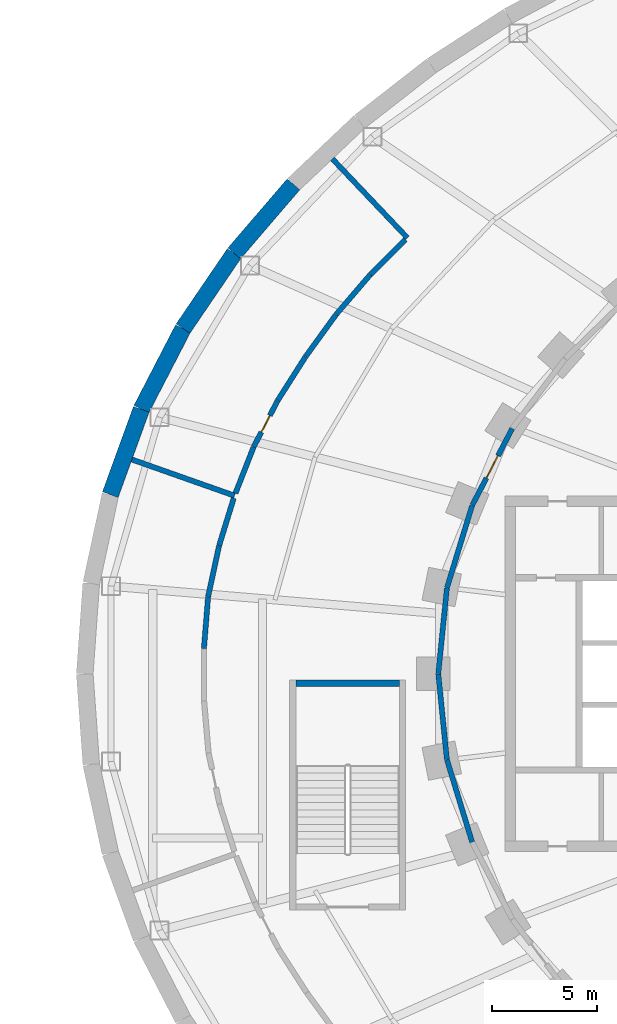
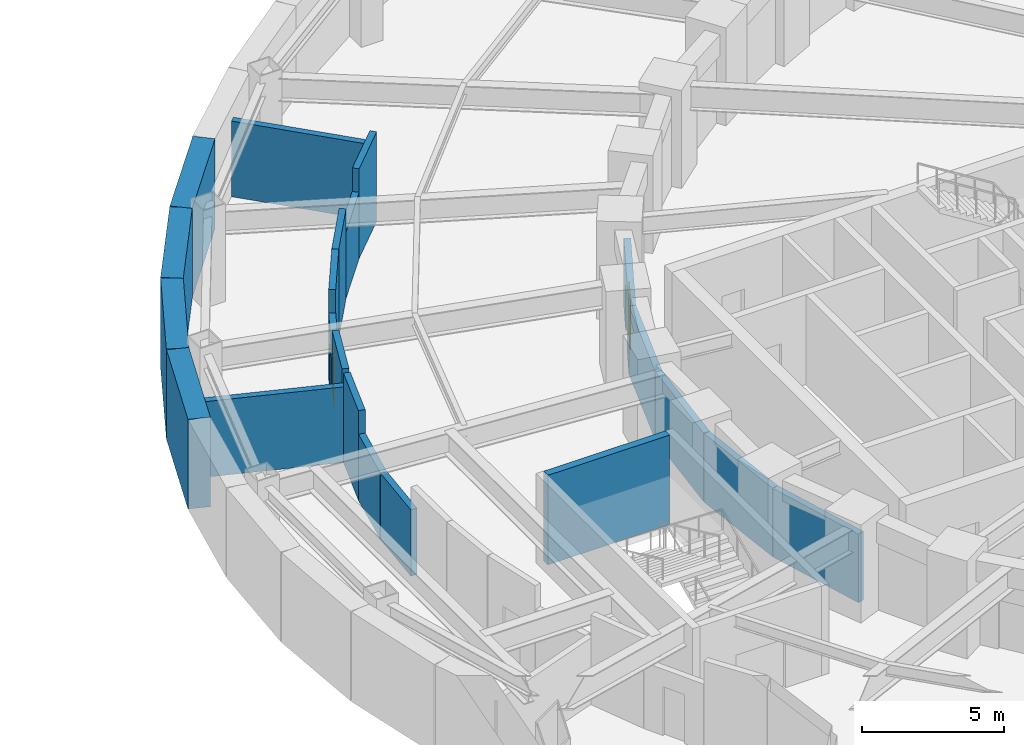
# One storey, part 15 of 32: 21 walls, 2 doors, 2 openings.
"""IFC4 building model written with IfcOpenShell, lengths in metres."""

import ifcopenshell
import ifcopenshell.guid

model = None  # the IFC model being written
_history = None  # IfcOwnerHistory: only IFC2X3 demands one
_inside = {}  # id of a spatial element -> (the spatial element, [elements in it])
_under = {}  # id of a project, library or spatial element -> (it, [spatial elements below it])
_declared = {}  # id of a project -> (the project, [libraries it declares])
_typed = {}  # id of a type object -> (the type object, [elements of that type])
_made_of = {}  # id of a material, layer set ... -> (it, [elements and type objects made of it])


def new_model(schema):
    """Start an empty IFC model of exactly this schema.

    Asked for "IFC4X3", IfcOpenShell would pick the latest addendum, in which some entities
    have other attributes; the version numbers below select the first issue.
    IFC2X3 requires an IfcOwnerHistory on every rooted entity: one is made here for all.
    """
    global model, _history
    if schema == "IFC4X3":
        model = ifcopenshell.file(schema_version=(4, 3, 0, 0))
    else:
        model = ifcopenshell.file(schema=schema)
    _inside.clear()
    _under.clear()
    _declared.clear()
    _typed.clear()
    _made_of.clear()
    _history = None
    if model.schema == "IFC2X3":
        org = make("IfcOrganization", Name="unknown")
        user = make(
            "IfcPersonAndOrganization",
            ThePerson=make("IfcPerson", FamilyName="unknown"),
            TheOrganization=org,
        )
        app = make(
            "IfcApplication",
            ApplicationDeveloper=org,
            Version="unknown",
            ApplicationFullName="unknown",
            ApplicationIdentifier="unknown",
        )
        _history = make(
            "IfcOwnerHistory",
            OwningUser=user,
            OwningApplication=app,
            ChangeAction="ADDED",
            CreationDate=0,
        )
    return model


def make(cls, **values):
    """One entity of the class cls with the attributes given. An attribute that is None is left unset."""
    return model.create_entity(
        cls, **{name: value for name, value in values.items() if value is not None}
    )


def rooted(cls, **values):
    """An entity with a GlobalId (a new one), such as an element, a storey or a relation."""
    return make(cls, GlobalId=ifcopenshell.guid.new(), OwnerHistory=_history, **values)


def si_unit(unit_type, name, prefix=None):
    """IfcSIUnit, for example si_unit("LENGTHUNIT", "METRE", prefix="MILLI")."""
    return make("IfcSIUnit", UnitType=unit_type, Prefix=prefix, Name=name)


def assignment(units):
    """IfcUnitAssignment: the units of a project."""
    return None if units is None else make("IfcUnitAssignment", Units=units)


def point(xyz):
    """IfcCartesianPoint."""
    return None if xyz is None else make("IfcCartesianPoint", Coordinates=xyz)


def direction(xyz):
    """IfcDirection."""
    return None if xyz is None else make("IfcDirection", DirectionRatios=xyz)


def frame(location, z_axis=None, x_axis=None):
    """IfcAxis2Placement3D, a coordinate frame: its origin and axes. An axis left out is left unset."""
    return make(
        "IfcAxis2Placement3D",
        Location=point(location),
        Axis=direction(z_axis),
        RefDirection=direction(x_axis),
    )


def frame_2d(location, x_axis=None):
    """IfcAxis2Placement2D, a coordinate frame in the plane: its origin and x axis."""
    return make(
        "IfcAxis2Placement2D", Location=point(location), RefDirection=direction(x_axis)
    )


def origin():
    """The frame at (0, 0, 0) with its axes left unset."""
    return frame((0.0, 0.0, 0.0))


def place(relative_to, where):
    """IfcLocalPlacement: puts the frame where relative to a parent placement (None: the world)."""
    return make(
        "IfcLocalPlacement", PlacementRelTo=relative_to, RelativePlacement=where
    )


def context(
    kind, dimensions, precision=None, world=None, true_north=None, identifier=None
):
    """IfcGeometricRepresentationContext, for example the 3D "Model" context."""
    return make(
        "IfcGeometricRepresentationContext",
        ContextIdentifier=identifier,
        ContextType=kind,
        CoordinateSpaceDimension=dimensions,
        Precision=precision,
        WorldCoordinateSystem=world,
        TrueNorth=true_north,
    )


def subcontext(parent, identifier, kind, view, scale=None):
    """IfcGeometricRepresentationSubContext, for example "Body" below "Model"."""
    return make(
        "IfcGeometricRepresentationSubContext",
        ContextIdentifier=identifier,
        ContextType=kind,
        ParentContext=parent,
        TargetScale=scale,
        TargetView=view,
    )


def project(units=None, contexts=None):
    """IfcProject with its units and contexts."""
    return rooted(
        "IfcProject",
        Name="project",
        RepresentationContexts=contexts,
        UnitsInContext=assignment(units),
    )


def spatial(cls, under=None, at=None, **own):
    """A site, building, storey or space (cls), placed at a placement, below another one or the project."""
    s = rooted(cls, ObjectPlacement=at, **own)
    if under is not None:
        _under.setdefault(under.id(), (under, []))[1].append(s)
    return s


def profile(cls, at=None, kind="AREA", **sizes):
    """A parametric profile (cls). Its sizes go by their IFC names, for example OverallWidth=200.0."""
    return make(cls, ProfileType=kind, Position=at, **sizes)


def rectangle(**sizes):
    """IfcRectangleProfileDef."""
    return profile("IfcRectangleProfileDef", **sizes)


def extrude(swept, where, along, depth):
    """IfcExtrudedAreaSolid: the profile swept, set in the frame where, extruded along a direction by depth."""
    return make(
        "IfcExtrudedAreaSolid",
        SweptArea=swept,
        Position=where,
        ExtrudedDirection=direction(along),
        Depth=depth,
    )


def shape(context_of_items, identifier, shape_type, items):
    """IfcShapeRepresentation: the items that make up one representation, for example the "Body"."""
    return make(
        "IfcShapeRepresentation",
        ContextOfItems=context_of_items,
        RepresentationIdentifier=identifier,
        RepresentationType=shape_type,
        Items=items,
    )


def material(Name=None, Category=None):
    """IfcMaterial."""
    return make("IfcMaterial", Name=Name, Category=Category)


def layer(
    of_material, thickness, ventilated=None, Name=None, Category=None, Priority=None
):
    """IfcMaterialLayer: one layer of a wall or slab, of a material (None: an air gap)."""
    return make(
        "IfcMaterialLayer",
        Material=of_material,
        LayerThickness=thickness,
        IsVentilated=ventilated,
        Name=Name,
        Category=Category,
        Priority=Priority,
    )


def layer_set(layers, Name=None):
    """IfcMaterialLayerSet."""
    return make("IfcMaterialLayerSet", MaterialLayers=layers, LayerSetName=Name)


def made_of(thing, what):
    """Note that an element or type object is made of a material, layer set ...; save() writes the relation."""
    if what is not None:
        _made_of.setdefault(what.id(), (what, []))[1].append(thing)
    return thing


def type_object(cls, material=None, **own):
    """A type object (cls), such as IfcWallType, which elements share."""
    return made_of(rooted(cls, **own), material)


def element(
    cls,
    number,
    at=None,
    inside=None,
    cuts=None,
    type_object=None,
    material=None,
    context=None,
    identifier="Body",
    shape_type=None,
    held_by="IfcProductDefinitionShape",
    body=None,
    shapes=None,
    **own,
):
    """One element of the class cls, such as IfcWall. Its Tag is "e" and its number.

    at: its placement. inside: the storey or other place that contains it. cuts: it is an
    opening in that element (IfcRelVoidsElement). A single representation is given by context,
    identifier, shape_type and body (its items); several are given by shapes. held_by: the class
    of the entity that holds the representations. save() writes the other relations.
    """
    e = rooted(cls, Tag="e%d" % number, ObjectPlacement=at, **own)
    if body is not None:
        shapes = [shape(context, identifier, shape_type, body)]
    if shapes is not None:
        e.Representation = make(held_by, Representations=shapes)
    if inside is not None:
        _inside.setdefault(inside.id(), (inside, []))[1].append(e)
    if cuts is not None:
        rooted(
            "IfcRelVoidsElement", RelatingBuildingElement=cuts, RelatedOpeningElement=e
        )
    if type_object is not None:
        _typed.setdefault(type_object.id(), (type_object, []))[1].append(e)
    return made_of(e, material)


def fill(opening, filler):
    """IfcRelFillsElement: the door or window that sits in an opening."""
    return rooted(
        "IfcRelFillsElement",
        RelatingOpeningElement=opening,
        RelatedBuildingElement=filler,
    )


def aggregate(whole, parts):
    """IfcRelAggregates: a whole, such as a stair, and the parts it consists of."""
    return rooted("IfcRelAggregates", RelatingObject=whole, RelatedObjects=parts)


def save(model, path):
    """Write the relations noted so far, then the file.

    IfcRelAggregates (storeys below a building ...), IfcRelContainedInSpatialStructure (elements
    in a storey), IfcRelDefinesByType, IfcRelAssociatesMaterial and IfcRelDeclares: one each for
    every whole, place, type object, material and project.
    """
    for whole, parts in _under.values():
        aggregate(whole, parts)
    for where, things in _inside.values():
        rooted(
            "IfcRelContainedInSpatialStructure",
            RelatedElements=things,
            RelatingStructure=where,
        )
    for kind, things in _typed.values():
        rooted("IfcRelDefinesByType", RelatedObjects=things, RelatingType=kind)
    for what, things in _made_of.values():
        rooted("IfcRelAssociatesMaterial", RelatedObjects=things, RelatingMaterial=what)
    for by, libraries in _declared.values():
        rooted("IfcRelDeclares", RelatingContext=by, RelatedDefinitions=libraries)
    model.write(path)


model = new_model("IFC4")

# Units and contexts
model_context = context("Model", 3, precision=1e-05, world=origin(), true_north=direction((0.0, 1.0)))
body_context = subcontext(model_context, "Body", "Model", "MODEL_VIEW")
ifc_project = project(units=[si_unit("LENGTHUNIT", "METRE"), si_unit("AREAUNIT", "SQUARE_METRE"), si_unit("VOLUMEUNIT", "CUBIC_METRE"), si_unit("PLANEANGLEUNIT", "RADIAN"), si_unit("MASSUNIT", "GRAM", prefix="KILO")], contexts=[model_context])

# Site, building, storey
site_placement = place(None, origin())
site = spatial("IfcSite", under=ifc_project, at=site_placement, CompositionType="ELEMENT")
building_placement = place(site_placement, origin())
building = spatial("IfcBuilding", under=site, at=building_placement, Name="Noorbagh Ring Tower", CompositionType="ELEMENT")
storey_placement = place(building_placement, frame((0.0, 0.0, -4.199951171875)))
storey = spatial("IfcBuildingStorey", under=building, at=storey_placement, Name="B1", CompositionType="ELEMENT", Elevation=-4.199951171875)

# Walls
ifc_material_1 = material(Name="Concrete C60/75", Category="concrete")
ifc_layer_1 = layer(ifc_material_1, 0.300048828125)
ifc_layer_set_1 = layer_set([ifc_layer_1], Name="Concrete C60/75")
wall_type_1 = type_object("IfcWallType", Name="GND-STAIR-WALL", PredefinedType="SHEAR", material=ifc_layer_set_1)
wall_1_placement = place(storey_placement, frame((-41.5, -0.449951171875, 0.0), z_axis=(0.0, 0.0, 1.0), x_axis=(1.0, 0.0, 0.0)))
element("IfcWall", 1, at=wall_1_placement, inside=storey, type_object=wall_type_1, Name="Exit stair ST-P1 wall", PredefinedType="SHEAR", context=body_context, shape_type="SweptSolid", body=[
    extrude(rectangle(XDim=4.949951171875, YDim=0.300048828125, at=frame_2d((2.47509765625, 0.0))), origin(), (0.0, 0.0, 1.0), 3.849853515625),
])
ifc_material_2 = material(Name="Concrete C40/50", Category="concrete")
ifc_layer_2 = layer(ifc_material_2, 0.25)
ifc_layer_set_2 = layer_set([ifc_layer_2], Name="Concrete C40/50")
wall_type_2 = type_object("IfcWallType", Name="GND-WALL-250", PredefinedType="SOLIDWALL", material=ifc_layer_set_2)
wall_2_placement = place(storey_placement, frame((-44.473388671875, 8.397705078125, 0.0), z_axis=(0.0, 0.0, 1.0), x_axis=(-0.294819172462, -0.955553062655, 0.0)))
element("IfcWall", 2, at=wall_2_placement, inside=storey, type_object=wall_type_2, Name="Generator hall", PredefinedType="SOLIDWALL", context=body_context, shape_type="SweptSolid", body=[
    extrude(rectangle(XDim=2.362548828125, YDim=0.25, at=frame_2d((1.18115234375, 0.0))), origin(), (0.0, 0.0, 1.0), 3.849853515625),
])
wall_3_placement = place(storey_placement, frame((-45.173583984375, 6.126708984375, 0.0), z_axis=(0.0, 0.0, 1.0), x_axis=(-0.210541637955, -0.977584890783, 0.0)))
element("IfcWall", 3, at=wall_3_placement, inside=storey, type_object=wall_type_2, Name="Generator hall", PredefinedType="SOLIDWALL", context=body_context, shape_type="SweptSolid", body=[
    extrude(rectangle(XDim=2.486083984375, YDim=0.25, at=frame_2d((1.2431640625, 0.0))), origin(), (0.0, 0.0, 1.0), 2.849853515625),
])
wall_4_placement = place(storey_placement, frame((-45.69921875, 3.6826171875, 0.0), z_axis=(0.0, 0.0, 1.0), x_axis=(-0.080182633504, -0.996780189051, 0.0)))
element("IfcWall", 4, at=wall_4_placement, inside=storey, type_object=wall_type_2, Name="Generator hall", PredefinedType="SOLIDWALL", context=body_context, shape_type="SweptSolid", body=[
    extrude(rectangle(XDim=2.484619140625, YDim=0.25, at=frame_2d((1.2421875, 0.0))), origin(), (0.0, 0.0, 1.0), 2.849853515625),
])
wall_5_placement = place(storey_placement, frame((-44.436767578125, 8.517333984375, 0.0), z_axis=(0.0, 0.0, 1.0), x_axis=(-0.943071780523, 0.332589261374, 0.0)))
element("IfcWall", 5, at=wall_5_placement, inside=storey, type_object=wall_type_2, Name="Generator hall", PredefinedType="SOLIDWALL", context=body_context, shape_type="SweptSolid", body=[
    extrude(rectangle(XDim=5.2001953125, YDim=0.25, at=frame_2d((2.60009765625, 0.0))), origin(), (0.0, 0.0, 1.0), 3.25),
])
wall_6_placement = place(storey_placement, frame((-36.260986328125, 20.7607421875, 0.0), z_axis=(0.0, 0.0, 1.0), x_axis=(-0.709013482925, -0.705194924138, 0.0)))
element("IfcWall", 6, at=wall_6_placement, inside=storey, type_object=wall_type_2, Name="Substation", PredefinedType="SOLIDWALL", context=body_context, shape_type="SweptSolid", body=[
    extrude(rectangle(XDim=2.36572265625, YDim=0.25, at=frame_2d((1.182861328125, 0.0))), origin(), (0.0, 0.0, 1.0), 3.849853515625),
])
wall_7_placement = place(storey_placement, frame((-37.94775390625, 19.08251953125, 0.0), z_axis=(0.0, 0.0, 1.0), x_axis=(-0.651349194993, -0.758778113932, 0.0)))
element("IfcWall", 7, at=wall_7_placement, inside=storey, type_object=wall_type_2, Name="Substation", PredefinedType="SOLIDWALL", context=body_context, shape_type="SweptSolid", body=[
    extrude(rectangle(XDim=2.486083984375, YDim=0.25, at=frame_2d((1.2431640625, 0.0))), origin(), (0.0, 0.0, 1.0), 2.849853515625),
])
wall_8_placement = place(storey_placement, frame((-39.57568359375, 17.18505859375, 0.0), z_axis=(0.0, 0.0, 1.0), x_axis=(-0.586703300203, -0.80980197427, 0.0)))
element("IfcWall", 8, at=wall_8_placement, inside=storey, type_object=wall_type_2, Name="Substation", PredefinedType="SOLIDWALL", context=body_context, shape_type="SweptSolid", body=[
    extrude(rectangle(XDim=2.48291015625, YDim=0.25, at=frame_2d((1.241455078125, 0.0))), origin(), (0.0, 0.0, 1.0), 3.849853515625),
])
wall_9_placement = place(storey_placement, frame((-41.040283203125, 15.16259765625, 0.0), z_axis=(0.0, 0.0, 1.0), x_axis=(-0.536780033941, -0.843722226306, 0.0)))
element("IfcWall", 9, at=wall_9_placement, inside=storey, type_object=wall_type_2, Name="Substation", PredefinedType="SOLIDWALL", context=body_context, shape_type="SweptSolid", body=[
    extrude(rectangle(XDim=2.482421875, YDim=0.25, at=frame_2d((1.2412109375, 0.0))), origin(), (0.0, 0.0, 1.0), 3.849853515625),
])

# Wall, opening, door
wall_10_placement = place(storey_placement, frame((-42.379638671875, 13.055908203125, 0.0), z_axis=(0.0, 0.0, 1.0), x_axis=(-0.459310705797, -0.888275675419, 0.0)))
wall_10 = element("IfcWall", 10, at=wall_10_placement, inside=storey, type_object=wall_type_2, Name="Substation", PredefinedType="SOLIDWALL", context=body_context, shape_type="SweptSolid", body=[
    extrude(rectangle(XDim=2.486083984375, YDim=0.25, at=frame_2d((1.2431640625, 0.0))), origin(), (0.0, 0.0, 1.0), 2.849853515625),
])
opening_1_placement = place(wall_10_placement, frame((0.79296875, 0.0, 0.0)))
opening_1 = element("IfcOpeningElement", 11, at=opening_1_placement, cuts=wall_10, Name="Opening GD2", PredefinedType="OPENING", context=body_context, shape_type="SweptSolid", body=[
    extrude(rectangle(XDim=0.89990234375, YDim=2.10009765625, at=frame_2d((0.449951171875, 1.050048828125))), frame((0.0, 0.135009765625, 0.0), z_axis=(0.0, -1.0, 0.0), x_axis=(1.0, 0.0, 0.0)), (0.0, 0.0, 1.0), 0.27001953125),
])
ifc_material_3 = material(Name="Steel", Category="steel")
door_type_1 = type_object("IfcDoorType", Name="GND-DOOR-SVC120", OperationType="SINGLE_SWING_LEFT", PredefinedType="DOOR", material=ifc_material_3)
door_1_placement = place(opening_1_placement, origin())
door_1 = element("IfcDoor", 12, at=door_1_placement, inside=storey, type_object=door_type_1, Name="Substation door", OperationType="SINGLE_SWING_LEFT", OverallHeight=2.10009765625, OverallWidth=0.89990234375, PredefinedType="DOOR", context=body_context, shape_type="SweptSolid", body=[
    extrude(rectangle(XDim=0.89990234375, YDim=2.10009765625, at=frame_2d((0.449951171875, 1.050048828125))), frame((0.0, 0.02490234375, 0.0), z_axis=(0.0, -1.0, 0.0), x_axis=(1.0, 0.0, 0.0)), (0.0, 0.0, 1.0), 0.050048828125),
])
fill(opening_1, door_1)

# Walls
wall_11_placement = place(storey_placement, frame((-43.527099609375, 10.8349609375, 0.0), z_axis=(0.0, 0.0, 1.0), x_axis=(-0.365348921729, -0.930870649119, 0.0)))
element("IfcWall", 13, at=wall_11_placement, inside=storey, type_object=wall_type_2, Name="Substation", PredefinedType="SOLIDWALL", context=body_context, shape_type="SweptSolid", body=[
    extrude(rectangle(XDim=2.364990234375, YDim=0.25, at=frame_2d((1.1826171875, 0.0))), origin(), (0.0, 0.0, 1.0), 3.849853515625),
])
wall_12_placement = place(storey_placement, frame((-36.17236328125, 20.848876953125, 0.0), z_axis=(0.0, 0.0, 1.0), x_axis=(-0.688775374143, 0.724974816097, 0.0)))
element("IfcWall", 14, at=wall_12_placement, inside=storey, type_object=wall_type_2, Name="Substation", PredefinedType="SOLIDWALL", context=body_context, shape_type="SweptSolid", body=[
    extrude(rectangle(XDim=5.199951171875, YDim=0.25, at=frame_2d((2.60009765625, 0.0))), origin(), (0.0, 0.0, 1.0), 3.25),
])

# Wall, opening, door
ifc_material_4 = material(Name="Concrete C40/50", Category="concrete")
ifc_layer_3 = layer(ifc_material_4, 0.25)
ifc_layer_set_3 = layer_set([ifc_layer_3], Name="Concrete C40/50")
wall_type_3 = type_object("IfcWallType", Name="GND-WALL-RING", PredefinedType="SOLIDWALL", material=ifc_layer_set_3)
wall_13_placement = place(storey_placement, frame((-31.1572265625, 11.728759765625, 0.0), z_axis=(0.0, 0.0, 1.0), x_axis=(-0.462265314279, -0.886741664305, 0.0)))
wall_13 = element("IfcWall", 15, at=wall_13_placement, inside=storey, type_object=wall_type_3, Name="Tower basement fire wall", PredefinedType="SOLIDWALL", context=body_context, shape_type="SweptSolid", body=[
    extrude(rectangle(XDim=4.134765625, YDim=0.25, at=frame_2d((2.0673828125, 0.0))), origin(), (0.0, 0.0, 1.0), 2.949951171875),
])
opening_2_placement = place(wall_13_placement, frame((1.46728515625, 0.0, 0.0)))
opening_2 = element("IfcOpeningElement", 16, at=opening_2_placement, cuts=wall_13, Name="Opening GD4", PredefinedType="OPENING", context=body_context, shape_type="SweptSolid", body=[
    extrude(rectangle(XDim=1.199951171875, YDim=2.10009765625, at=frame_2d((0.60009765625, 1.050048828125))), frame((0.0, 0.135009765625, 0.0), z_axis=(0.0, -1.0, 0.0), x_axis=(1.0, 0.0, 0.0)), (0.0, 0.0, 1.0), 0.27001953125),
])
ifc_material_5 = material(Name="Steel", Category="steel")
door_type_2 = type_object("IfcDoorType", Name="GND-DOOR-RING", OperationType="DOUBLE_DOOR_SINGLE_SWING", PredefinedType="DOOR", material=ifc_material_5)
door_2_placement = place(opening_2_placement, origin())
door_2 = element("IfcDoor", 17, at=door_2_placement, inside=storey, type_object=door_type_2, Name="Tower basement door", OperationType="DOUBLE_DOOR_SINGLE_SWING", OverallHeight=2.10009765625, OverallWidth=1.199951171875, PredefinedType="DOOR", context=body_context, shape_type="SweptSolid", body=[
    extrude(rectangle(XDim=1.199951171875, YDim=2.10009765625, at=frame_2d((0.60009765625, 1.050048828125))), frame((0.0, 0.02490234375, 0.0), z_axis=(0.0, -1.0, 0.0), x_axis=(1.0, 0.0, 0.0)), (0.0, 0.0, 1.0), 0.050048828125),
])
fill(opening_2, door_2)

# Walls
wall_14_placement = place(storey_placement, frame((-33.075439453125, 8.045654296875, 0.0), z_axis=(0.0, 0.0, 1.0), x_axis=(-0.292171812712, -0.956365846241, 0.0)))
element("IfcWall", 18, at=wall_14_placement, inside=storey, type_object=wall_type_3, Name="Tower basement fire wall", PredefinedType="SOLIDWALL", context=body_context, shape_type="SweptSolid", body=[
    extrude(rectangle(XDim=4.115478515625, YDim=0.25, at=frame_2d((2.0576171875, 0.0))), origin(), (0.0, 0.0, 1.0), 2.949951171875),
])
for number, where, z_axis, x_axis, name in (
    (19, (-34.281494140625, 4.09228515625, 0.0), (0.0, 0.0, 1.0), (-0.100122163244, -0.994975151663, 0.0), "Tower basement fire wall"),
    (20, (-34.6923828125, -0.009033203125, 0.0), (0.0, 0.0, 1.0), (0.100122163244, -0.994975151663, 0.0), "Tower basement fire wall"),
):
    element("IfcWall", number, at=place(storey_placement, frame(where, z_axis=z_axis, x_axis=x_axis)), inside=storey, type_object=wall_type_3, Name=name, PredefinedType="SOLIDWALL", context=body_context, shape_type="SweptSolid", body=[
        extrude(rectangle(XDim=4.103759765625, YDim=0.25, at=frame_2d((2.0517578125, 0.0))), origin(), (0.0, 0.0, 1.0), 2.949951171875),
    ])
wall_15_placement = place(storey_placement, frame((-34.27783203125, -4.10986328125, 0.0), z_axis=(0.0, 0.0, 1.0), x_axis=(0.292171812712, -0.956365846241, 0.0)))
element("IfcWall", 21, at=wall_15_placement, inside=storey, type_object=wall_type_3, Name="Tower basement fire wall", PredefinedType="SOLIDWALL", context=body_context, shape_type="SweptSolid", body=[
    extrude(rectangle(XDim=4.115478515625, YDim=0.25, at=frame_2d((2.0576171875, 0.0))), origin(), (0.0, 0.0, 1.0), 2.949951171875),
])
ifc_material_6 = material(Name="Concrete C40/50", Category="concrete")
ifc_layer_4 = layer(ifc_material_6, 0.800048828125)
ifc_layer_set_4 = layer_set([ifc_layer_4], Name="Concrete C40/50")
wall_type_4 = type_object("IfcWallType", Name="STR-RETAINING-WALL", PredefinedType="SOLIDWALL", material=ifc_layer_set_4)
wall_16_placement = place(storey_placement, frame((-41.61669921875, 23.406005859375, 0.0), z_axis=(0.0, 0.0, 1.0), x_axis=(-0.651387059497, -0.758745608699, 0.0)))
element("IfcWall", 22, at=wall_16_placement, inside=storey, type_object=wall_type_4, Name="B1/retwall/28", PredefinedType="SOLIDWALL", context=body_context, shape_type="SweptSolid", body=[
    extrude(rectangle(XDim=4.3525390625, YDim=0.800048828125, at=frame_2d((2.17626953125, 0.0))), origin(), (0.0, 0.0, 1.0), 3.849853515625),
])
wall_17_placement = place(storey_placement, frame((-44.451904296875, 20.103515625, 0.0), z_axis=(0.0, 0.0, 1.0), x_axis=(-0.562667738859, -0.82668314102, 0.0)))
element("IfcWall", 23, at=wall_17_placement, inside=storey, type_object=wall_type_4, Name="B1/retwall/29", PredefinedType="SOLIDWALL", context=body_context, shape_type="SweptSolid", body=[
    extrude(rectangle(XDim=4.348876953125, YDim=0.800048828125, at=frame_2d((2.17431640625, 0.0))), origin(), (0.0, 0.0, 1.0), 3.849853515625),
])
wall_18_placement = place(storey_placement, frame((-46.89892578125, 16.50830078125, 0.0), z_axis=(0.0, 0.0, 1.0), x_axis=(-0.459242531468, -0.888310923771, 0.0)))
element("IfcWall", 24, at=wall_18_placement, inside=storey, type_object=wall_type_4, Name="B1/retwall/30", PredefinedType="SOLIDWALL", context=body_context, shape_type="SweptSolid", body=[
    extrude(rectangle(XDim=4.344970703125, YDim=0.800048828125, at=frame_2d((2.17236328125, 0.0))), origin(), (0.0, 0.0, 1.0), 3.849853515625),
])
wall_19_placement = place(storey_placement, frame((-48.894287109375, 12.648681640625, 0.0), z_axis=(0.0, 0.0, 1.0), x_axis=(-0.341286990045, -0.939959142956, 0.0)))
element("IfcWall", 25, at=wall_19_placement, inside=storey, type_object=wall_type_4, Name="B1/retwall/31", PredefinedType="SOLIDWALL", context=body_context, shape_type="SweptSolid", body=[
    extrude(rectangle(XDim=4.341552734375, YDim=0.800048828125, at=frame_2d((2.1708984375, 0.0))), origin(), (0.0, 0.0, 1.0), 3.849853515625),
])

save(model, "model.ifc")
